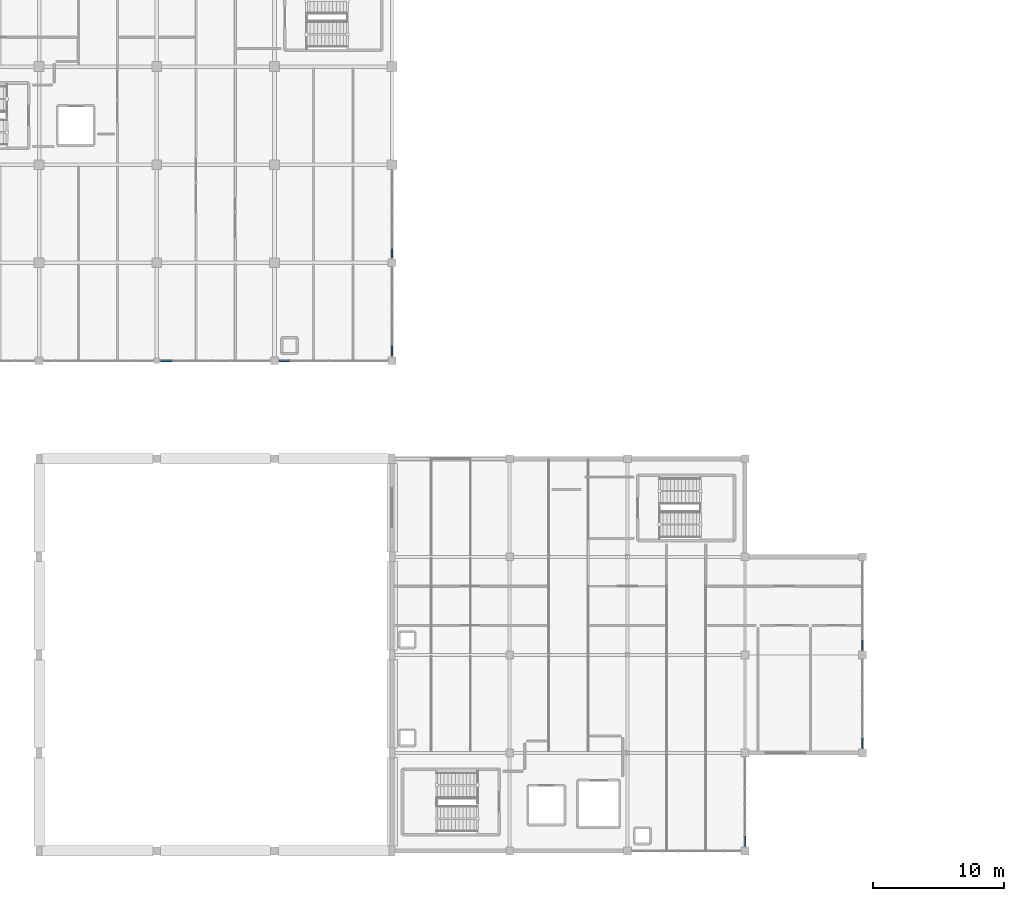
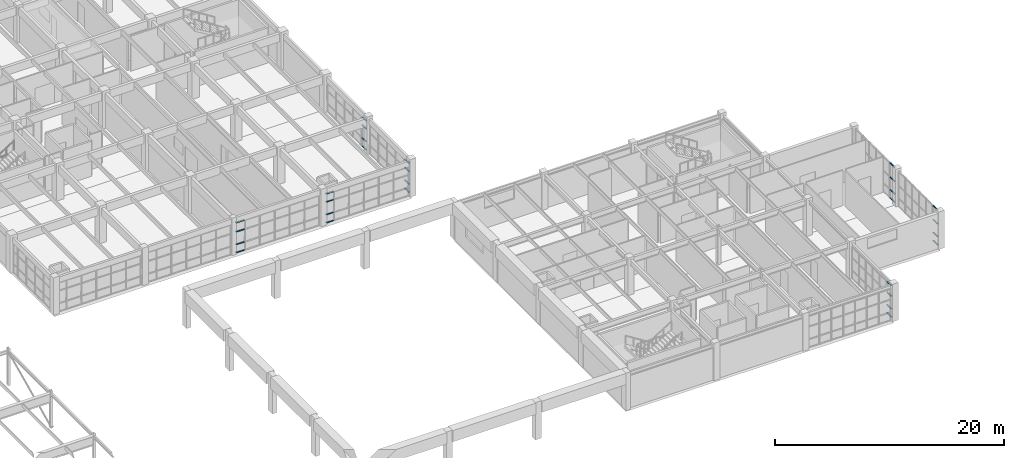
# One storey, part 41 of 76: 28 members, 7 elements without a shape of their own.
"""IFC4 building model written with IfcOpenShell, lengths in metres."""

from ifc_helpers import new_model, si_unit, direction, frame, origin, origin_2d, place, context, subcontext, project, spatial, rectangle, extrude, material, layer, layer_set, material_profile, profile_set, type_object, element, aggregate, save


model = new_model("IFC4")

# Units and contexts
model_context = context("Model", 3, precision=1e-05, world=origin(), true_north=direction((0.0, 1.0)))
body_context = subcontext(model_context, "Body", "Model", "MODEL_VIEW")
ifc_project = project(units=[si_unit("LENGTHUNIT", "METRE"), si_unit("AREAUNIT", "SQUARE_METRE"), si_unit("VOLUMEUNIT", "CUBIC_METRE"), si_unit("PLANEANGLEUNIT", "RADIAN"), si_unit("MASSUNIT", "GRAM", prefix="KILO")], contexts=[model_context])

# Site, building, storey
site_placement = place(None, origin())
site = spatial("IfcSite", under=ifc_project, at=site_placement, CompositionType="ELEMENT")
building_placement = place(site_placement, origin())
building = spatial("IfcBuilding", under=site, at=building_placement, Name="Marnridge Secondary College", CompositionType="ELEMENT")
storey_placement = place(building_placement, frame((0.0, 0.0, 4.5)))
storey = spatial("IfcBuildingStorey", under=building, at=storey_placement, Name="L01", CompositionType="ELEMENT", Elevation=4.5)

# Curtain wall, members
ifc_material_1 = material(Name="Thermally broken aluminium and low-E glazing", Category="aluminium")
ifc_layer_1 = layer(ifc_material_1, 0.159912109375)
ifc_layer_set_1 = layer_set([ifc_layer_1], Name="CW-MOD-1500")
curtain_wall_type_1 = type_object("IfcCurtainWallType", Name="CW-MOD-1500", PredefinedType="NOTDEFINED", material=ifc_layer_set_1)
curtain_wall_1_placement = place(storey_placement, origin())
curtain_wall_1 = element("IfcCurtainWall", 1, at=curtain_wall_1_placement, inside=storey, type_object=curtain_wall_type_1, Name="Unitised curtain wall CW-L01-033", PredefinedType="NOTDEFINED")
ifc_material_2 = material(Name="Anodised aluminium 6063-T6", Category="aluminium")
ifc_material_profile = material_profile(ifc_material_2, rectangle(XDim=0.06005859375, YDim=0.1201171875, at=origin_2d()), Name="ALU 60x120")
ifc_profile_set = profile_set([ifc_material_profile], Name="Anodised aluminium 6063-T6")
member_type = type_object("IfcMemberType", Name="CWT-ALU120", PredefinedType="USERDEFINED", material=ifc_profile_set)
member_1_placement = place(storey_placement, frame((90.0, 46.06103515625, 0.030029296875), z_axis=(0.0, -1.0, 0.0), x_axis=(0.0, 0.0, 1.0)))
member_1 = element("IfcMember", 2, at=member_1_placement, type_object=member_type, Name="CW-L01-033 transom 5.1", ObjectType="TRANSOM", PredefinedType="USERDEFINED", context=body_context, shape_type="SweptSolid", body=[
    extrude(rectangle(XDim=0.06005859375, YDim=0.1201171875, at=origin_2d()), origin(), (0.0, 0.0, 1.0), 0.697021484375),
])
member_2_placement = place(storey_placement, frame((90.0, 46.06103515625, 0.89990234375), z_axis=(0.0, -1.0, 0.0), x_axis=(0.0, 0.0, 1.0)))
member_2 = element("IfcMember", 3, at=member_2_placement, type_object=member_type, Name="CW-L01-033 transom 5.2", ObjectType="TRANSOM", PredefinedType="USERDEFINED", context=body_context, shape_type="SweptSolid", body=[
    extrude(rectangle(XDim=0.06005859375, YDim=0.1201171875, at=origin_2d()), origin(), (0.0, 0.0, 1.0), 0.697021484375),
])
member_3_placement = place(storey_placement, frame((90.0, 46.06103515625, 2.25), z_axis=(0.0, -1.0, 0.0), x_axis=(0.0, 0.0, 1.0)))
member_3 = element("IfcMember", 4, at=member_3_placement, type_object=member_type, Name="CW-L01-033 transom 5.3", ObjectType="TRANSOM", PredefinedType="USERDEFINED", context=body_context, shape_type="SweptSolid", body=[
    extrude(rectangle(XDim=0.06005859375, YDim=0.1201171875, at=origin_2d()), origin(), (0.0, 0.0, 1.0), 0.697021484375),
])
member_4_placement = place(storey_placement, frame((90.0, 46.06103515625, 3.116943359375), z_axis=(0.0, -1.0, 0.0), x_axis=(0.0, 0.0, 1.0)))
member_4 = element("IfcMember", 5, at=member_4_placement, type_object=member_type, Name="CW-L01-033 transom 5.4", ObjectType="TRANSOM", PredefinedType="USERDEFINED", context=body_context, shape_type="SweptSolid", body=[
    extrude(rectangle(XDim=0.06005859375, YDim=0.1201171875, at=origin_2d()), origin(), (0.0, 0.0, 1.0), 0.697021484375),
])
aggregate(curtain_wall_1, [member_1, member_2, member_3, member_4])

curtain_wall_2_placement = place(storey_placement, origin())
curtain_wall_2 = element("IfcCurtainWall", 6, at=curtain_wall_2_placement, inside=storey, type_object=curtain_wall_type_1, Name="Unitised curtain wall CW-L01-034", PredefinedType="NOTDEFINED")
member_5_placement = place(storey_placement, frame((90.0, 38.635986328125, 0.030029296875), z_axis=(0.0, -1.0, 0.0), x_axis=(0.0, 0.0, 1.0)))
member_5 = element("IfcMember", 7, at=member_5_placement, type_object=member_type, Name="CW-L01-034 transom 5.1", ObjectType="TRANSOM", PredefinedType="USERDEFINED", context=body_context, shape_type="SweptSolid", body=[
    extrude(rectangle(XDim=0.06005859375, YDim=0.1201171875, at=origin_2d()), origin(), (0.0, 0.0, 1.0), 0.77197265625),
])
member_6_placement = place(storey_placement, frame((90.0, 38.635986328125, 0.89990234375), z_axis=(0.0, -1.0, 0.0), x_axis=(0.0, 0.0, 1.0)))
member_6 = element("IfcMember", 8, at=member_6_placement, type_object=member_type, Name="CW-L01-034 transom 5.2", ObjectType="TRANSOM", PredefinedType="USERDEFINED", context=body_context, shape_type="SweptSolid", body=[
    extrude(rectangle(XDim=0.06005859375, YDim=0.1201171875, at=origin_2d()), origin(), (0.0, 0.0, 1.0), 0.77197265625),
])
member_7_placement = place(storey_placement, frame((90.0, 38.635986328125, 2.25), z_axis=(0.0, -1.0, 0.0), x_axis=(0.0, 0.0, 1.0)))
member_7 = element("IfcMember", 9, at=member_7_placement, type_object=member_type, Name="CW-L01-034 transom 5.3", ObjectType="TRANSOM", PredefinedType="USERDEFINED", context=body_context, shape_type="SweptSolid", body=[
    extrude(rectangle(XDim=0.06005859375, YDim=0.1201171875, at=origin_2d()), origin(), (0.0, 0.0, 1.0), 0.77197265625),
])
member_8_placement = place(storey_placement, frame((90.0, 38.635986328125, 3.116943359375), z_axis=(0.0, -1.0, 0.0), x_axis=(0.0, 0.0, 1.0)))
member_8 = element("IfcMember", 10, at=member_8_placement, type_object=member_type, Name="CW-L01-034 transom 5.4", ObjectType="TRANSOM", PredefinedType="USERDEFINED", context=body_context, shape_type="SweptSolid", body=[
    extrude(rectangle(XDim=0.06005859375, YDim=0.1201171875, at=origin_2d()), origin(), (0.0, 0.0, 1.0), 0.77197265625),
])
aggregate(curtain_wall_2, [member_5, member_6, member_7, member_8])

curtain_wall_3_placement = place(storey_placement, origin())
curtain_wall_3 = element("IfcCurtainWall", 11, at=curtain_wall_3_placement, inside=storey, type_object=curtain_wall_type_1, Name="Unitised curtain wall CW-L01-035", PredefinedType="NOTDEFINED")
member_9_placement = place(storey_placement, frame((82.135986328125, 37.5, 0.030029296875), z_axis=(-1.0, 0.0, 0.0), x_axis=(0.0, 0.0, 1.0)))
member_9 = element("IfcMember", 12, at=member_9_placement, type_object=member_type, Name="CW-L01-035 transom 6.1", ObjectType="TRANSOM", PredefinedType="USERDEFINED", context=body_context, shape_type="SweptSolid", body=[
    extrude(rectangle(XDim=0.06005859375, YDim=0.1201171875, at=origin_2d()), origin(), (0.0, 0.0, 1.0), 0.77197265625),
])
member_10_placement = place(storey_placement, frame((82.135986328125, 37.5, 0.89990234375), z_axis=(-1.0, 0.0, 0.0), x_axis=(0.0, 0.0, 1.0)))
member_10 = element("IfcMember", 13, at=member_10_placement, type_object=member_type, Name="CW-L01-035 transom 6.2", ObjectType="TRANSOM", PredefinedType="USERDEFINED", context=body_context, shape_type="SweptSolid", body=[
    extrude(rectangle(XDim=0.06005859375, YDim=0.1201171875, at=origin_2d()), origin(), (0.0, 0.0, 1.0), 0.77197265625),
])
member_11_placement = place(storey_placement, frame((82.135986328125, 37.5, 2.25), z_axis=(-1.0, 0.0, 0.0), x_axis=(0.0, 0.0, 1.0)))
member_11 = element("IfcMember", 14, at=member_11_placement, type_object=member_type, Name="CW-L01-035 transom 6.3", ObjectType="TRANSOM", PredefinedType="USERDEFINED", context=body_context, shape_type="SweptSolid", body=[
    extrude(rectangle(XDim=0.06005859375, YDim=0.1201171875, at=origin_2d()), origin(), (0.0, 0.0, 1.0), 0.77197265625),
])
member_12_placement = place(storey_placement, frame((82.135986328125, 37.5, 3.116943359375), z_axis=(-1.0, 0.0, 0.0), x_axis=(0.0, 0.0, 1.0)))
member_12 = element("IfcMember", 15, at=member_12_placement, type_object=member_type, Name="CW-L01-035 transom 6.4", ObjectType="TRANSOM", PredefinedType="USERDEFINED", context=body_context, shape_type="SweptSolid", body=[
    extrude(rectangle(XDim=0.06005859375, YDim=0.1201171875, at=origin_2d()), origin(), (0.0, 0.0, 1.0), 0.77197265625),
])
aggregate(curtain_wall_3, [member_9, member_10, member_11, member_12])

curtain_wall_4_placement = place(storey_placement, origin())
curtain_wall_4 = element("IfcCurtainWall", 16, at=curtain_wall_4_placement, inside=storey, type_object=curtain_wall_type_1, Name="Unitised curtain wall CW-L01-036", PredefinedType="NOTDEFINED")
member_13_placement = place(storey_placement, frame((73.135986328125, 37.5, 0.030029296875), z_axis=(-1.0, 0.0, 0.0), x_axis=(0.0, 0.0, 1.0)))
member_13 = element("IfcMember", 17, at=member_13_placement, type_object=member_type, Name="CW-L01-036 transom 6.1", ObjectType="TRANSOM", PredefinedType="USERDEFINED", context=body_context, shape_type="SweptSolid", body=[
    extrude(rectangle(XDim=0.06005859375, YDim=0.1201171875, at=origin_2d()), origin(), (0.0, 0.0, 1.0), 0.846923828125),
])
member_14_placement = place(storey_placement, frame((73.135986328125, 37.5, 0.89990234375), z_axis=(-1.0, 0.0, 0.0), x_axis=(0.0, 0.0, 1.0)))
member_14 = element("IfcMember", 18, at=member_14_placement, type_object=member_type, Name="CW-L01-036 transom 6.2", ObjectType="TRANSOM", PredefinedType="USERDEFINED", context=body_context, shape_type="SweptSolid", body=[
    extrude(rectangle(XDim=0.06005859375, YDim=0.1201171875, at=origin_2d()), origin(), (0.0, 0.0, 1.0), 0.846923828125),
])
member_15_placement = place(storey_placement, frame((73.135986328125, 37.5, 2.25), z_axis=(-1.0, 0.0, 0.0), x_axis=(0.0, 0.0, 1.0)))
member_15 = element("IfcMember", 19, at=member_15_placement, type_object=member_type, Name="CW-L01-036 transom 6.3", ObjectType="TRANSOM", PredefinedType="USERDEFINED", context=body_context, shape_type="SweptSolid", body=[
    extrude(rectangle(XDim=0.06005859375, YDim=0.1201171875, at=origin_2d()), origin(), (0.0, 0.0, 1.0), 0.846923828125),
])
member_16_placement = place(storey_placement, frame((73.135986328125, 37.5, 3.217041015625), z_axis=(-1.0, 0.0, 0.0), x_axis=(0.0, 0.0, 1.0)))
member_16 = element("IfcMember", 20, at=member_16_placement, type_object=member_type, Name="CW-L01-036 transom 6.4", ObjectType="TRANSOM", PredefinedType="USERDEFINED", context=body_context, shape_type="SweptSolid", body=[
    extrude(rectangle(XDim=0.06005859375, YDim=0.1201171875, at=origin_2d()), origin(), (0.0, 0.0, 1.0), 0.846923828125),
])
aggregate(curtain_wall_4, [member_13, member_14, member_15, member_16])

ifc_material_3 = material(Name="Thermally broken aluminium and low-E glazing", Category="aluminium")
ifc_layer_2 = layer(ifc_material_3, 0.179931640625)
ifc_layer_set_2 = layer_set([ifc_layer_2], Name="CW-MOD-1200")
curtain_wall_type_2 = type_object("IfcCurtainWallType", Name="CW-MOD-1200", PredefinedType="NOTDEFINED", material=ifc_layer_set_2)
curtain_wall_5_placement = place(storey_placement, origin())
curtain_wall_5 = element("IfcCurtainWall", 21, at=curtain_wall_5_placement, inside=storey, type_object=curtain_wall_type_2, Name="Unitised curtain wall CW-L01-042", PredefinedType="NOTDEFINED")
member_17_placement = place(storey_placement, frame((126.0, 16.131103515625, 0.030029296875), z_axis=(0.0, -1.0, 0.0), x_axis=(0.0, 0.0, 1.0)))
member_17 = element("IfcMember", 22, at=member_17_placement, type_object=member_type, Name="CW-L01-042 transom 6.1", ObjectType="TRANSOM", PredefinedType="USERDEFINED", context=body_context, shape_type="SweptSolid", body=[
    extrude(rectangle(XDim=0.06005859375, YDim=0.1201171875, at=origin_2d()), origin(), (0.0, 0.0, 1.0), 0.76220703125),
])
member_18_placement = place(storey_placement, frame((126.0, 16.131103515625, 0.89990234375), z_axis=(0.0, -1.0, 0.0), x_axis=(0.0, 0.0, 1.0)))
member_18 = element("IfcMember", 23, at=member_18_placement, type_object=member_type, Name="CW-L01-042 transom 6.2", ObjectType="TRANSOM", PredefinedType="USERDEFINED", context=body_context, shape_type="SweptSolid", body=[
    extrude(rectangle(XDim=0.06005859375, YDim=0.1201171875, at=origin_2d()), origin(), (0.0, 0.0, 1.0), 0.76220703125),
])
member_19_placement = place(storey_placement, frame((126.0, 16.131103515625, 2.25), z_axis=(0.0, -1.0, 0.0), x_axis=(0.0, 0.0, 1.0)))
member_19 = element("IfcMember", 24, at=member_19_placement, type_object=member_type, Name="CW-L01-042 transom 6.3", ObjectType="TRANSOM", PredefinedType="USERDEFINED", context=body_context, shape_type="SweptSolid", body=[
    extrude(rectangle(XDim=0.06005859375, YDim=0.1201171875, at=origin_2d()), origin(), (0.0, 0.0, 1.0), 0.76220703125),
])
member_20_placement = place(storey_placement, frame((126.0, 16.131103515625, 3.739990234375), z_axis=(0.0, -1.0, 0.0), x_axis=(0.0, 0.0, 1.0)))
member_20 = element("IfcMember", 25, at=member_20_placement, type_object=member_type, Name="CW-L01-042 transom 6.4", ObjectType="TRANSOM", PredefinedType="USERDEFINED", context=body_context, shape_type="SweptSolid", body=[
    extrude(rectangle(XDim=0.06005859375, YDim=0.1201171875, at=origin_2d()), origin(), (0.0, 0.0, 1.0), 0.76220703125),
])
aggregate(curtain_wall_5, [member_17, member_18, member_19, member_20])

curtain_wall_6_placement = place(storey_placement, origin())
curtain_wall_6 = element("IfcCurtainWall", 26, at=curtain_wall_6_placement, inside=storey, type_object=curtain_wall_type_2, Name="Unitised curtain wall CW-L01-043", PredefinedType="NOTDEFINED")
member_21_placement = place(storey_placement, frame((126.0, 8.631103515625, 0.030029296875), z_axis=(0.0, -1.0, 0.0), x_axis=(0.0, 0.0, 1.0)))
member_21 = element("IfcMember", 27, at=member_21_placement, type_object=member_type, Name="CW-L01-043 transom 6.1", ObjectType="TRANSOM", PredefinedType="USERDEFINED", context=body_context, shape_type="SweptSolid", body=[
    extrude(rectangle(XDim=0.06005859375, YDim=0.1201171875, at=origin_2d()), origin(), (0.0, 0.0, 1.0), 0.76220703125),
])
member_22_placement = place(storey_placement, frame((126.0, 8.631103515625, 0.89990234375), z_axis=(0.0, -1.0, 0.0), x_axis=(0.0, 0.0, 1.0)))
member_22 = element("IfcMember", 28, at=member_22_placement, type_object=member_type, Name="CW-L01-043 transom 6.2", ObjectType="TRANSOM", PredefinedType="USERDEFINED", context=body_context, shape_type="SweptSolid", body=[
    extrude(rectangle(XDim=0.06005859375, YDim=0.1201171875, at=origin_2d()), origin(), (0.0, 0.0, 1.0), 0.76220703125),
])
member_23_placement = place(storey_placement, frame((126.0, 8.631103515625, 2.25), z_axis=(0.0, -1.0, 0.0), x_axis=(0.0, 0.0, 1.0)))
member_23 = element("IfcMember", 29, at=member_23_placement, type_object=member_type, Name="CW-L01-043 transom 6.3", ObjectType="TRANSOM", PredefinedType="USERDEFINED", context=body_context, shape_type="SweptSolid", body=[
    extrude(rectangle(XDim=0.06005859375, YDim=0.1201171875, at=origin_2d()), origin(), (0.0, 0.0, 1.0), 0.76220703125),
])
member_24_placement = place(storey_placement, frame((126.0, 8.631103515625, 3.739990234375), z_axis=(0.0, -1.0, 0.0), x_axis=(0.0, 0.0, 1.0)))
member_24 = element("IfcMember", 30, at=member_24_placement, type_object=member_type, Name="CW-L01-043 transom 6.4", ObjectType="TRANSOM", PredefinedType="USERDEFINED", context=body_context, shape_type="SweptSolid", body=[
    extrude(rectangle(XDim=0.06005859375, YDim=0.1201171875, at=origin_2d()), origin(), (0.0, 0.0, 1.0), 0.76220703125),
])
aggregate(curtain_wall_6, [member_21, member_22, member_23, member_24])

curtain_wall_7_placement = place(storey_placement, origin())
curtain_wall_7 = element("IfcCurtainWall", 31, at=curtain_wall_7_placement, inside=storey, type_object=curtain_wall_type_2, Name="Unitised curtain wall CW-L01-044", PredefinedType="NOTDEFINED")
member_25_placement = place(storey_placement, frame((117.0, 1.131103515625, 0.030029296875), z_axis=(0.0, -1.0, 0.0), x_axis=(0.0, 0.0, 1.0)))
member_25 = element("IfcMember", 32, at=member_25_placement, type_object=member_type, Name="CW-L01-044 transom 6.1", ObjectType="TRANSOM", PredefinedType="USERDEFINED", context=body_context, shape_type="SweptSolid", body=[
    extrude(rectangle(XDim=0.06005859375, YDim=0.1201171875, at=origin_2d()), origin(), (0.0, 0.0, 1.0), 0.76220703125),
])
member_26_placement = place(storey_placement, frame((117.0, 1.131103515625, 0.89990234375), z_axis=(0.0, -1.0, 0.0), x_axis=(0.0, 0.0, 1.0)))
member_26 = element("IfcMember", 33, at=member_26_placement, type_object=member_type, Name="CW-L01-044 transom 6.2", ObjectType="TRANSOM", PredefinedType="USERDEFINED", context=body_context, shape_type="SweptSolid", body=[
    extrude(rectangle(XDim=0.06005859375, YDim=0.1201171875, at=origin_2d()), origin(), (0.0, 0.0, 1.0), 0.76220703125),
])
member_27_placement = place(storey_placement, frame((117.0, 1.131103515625, 2.25), z_axis=(0.0, -1.0, 0.0), x_axis=(0.0, 0.0, 1.0)))
member_27 = element("IfcMember", 34, at=member_27_placement, type_object=member_type, Name="CW-L01-044 transom 6.3", ObjectType="TRANSOM", PredefinedType="USERDEFINED", context=body_context, shape_type="SweptSolid", body=[
    extrude(rectangle(XDim=0.06005859375, YDim=0.1201171875, at=origin_2d()), origin(), (0.0, 0.0, 1.0), 0.76220703125),
])
member_28_placement = place(storey_placement, frame((117.0, 1.131103515625, 3.3798828125), z_axis=(0.0, -1.0, 0.0), x_axis=(0.0, 0.0, 1.0)))
member_28 = element("IfcMember", 35, at=member_28_placement, type_object=member_type, Name="CW-L01-044 transom 6.4", ObjectType="TRANSOM", PredefinedType="USERDEFINED", context=body_context, shape_type="SweptSolid", body=[
    extrude(rectangle(XDim=0.06005859375, YDim=0.1201171875, at=origin_2d()), origin(), (0.0, 0.0, 1.0), 0.76220703125),
])
aggregate(curtain_wall_7, [member_25, member_26, member_27, member_28])

save(model, "model.ifc")
